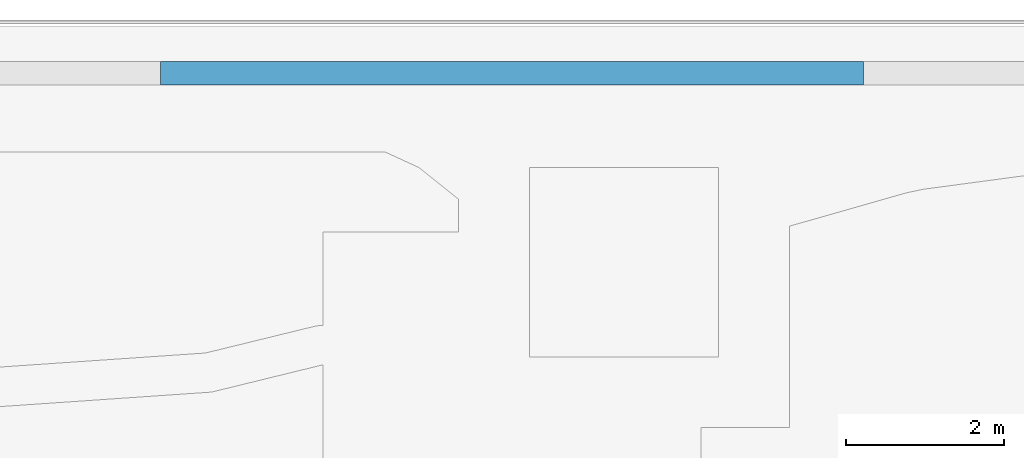
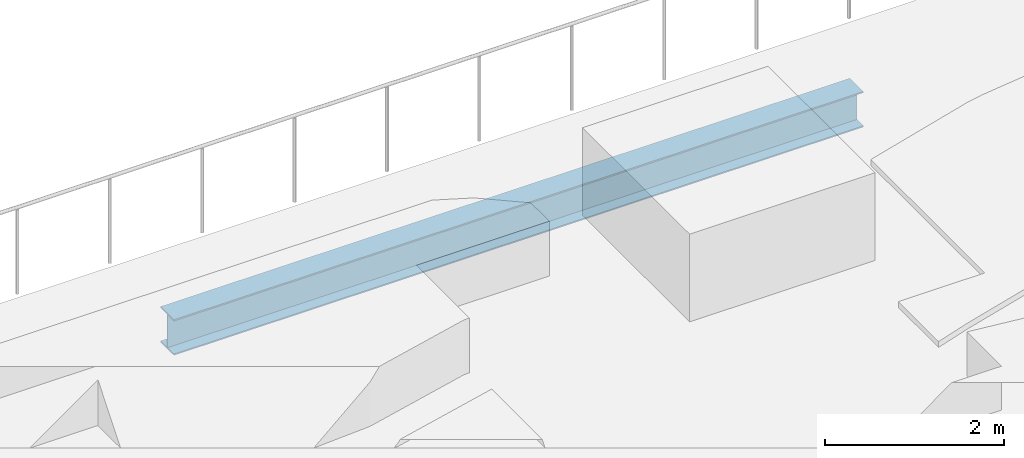
# One storey, part 13 of 40: 1 beam.
"""IFC4 building model written with IfcOpenShell, lengths in metres."""

from ifc_helpers import new_model, si_unit, direction, frame, origin, origin_2d, place, context, subcontext, project, spatial, i_section, extrude, material, material_profile, profile_set, type_object, element, save


model = new_model("IFC4")

# Units and contexts
model_context = context("Model", 3, precision=1e-05, world=origin(), true_north=direction((0.0, 1.0)))
body_context = subcontext(model_context, "Body", "Model", "MODEL_VIEW")
ifc_project = project(units=[si_unit("LENGTHUNIT", "METRE"), si_unit("AREAUNIT", "SQUARE_METRE"), si_unit("VOLUMEUNIT", "CUBIC_METRE"), si_unit("PLANEANGLEUNIT", "RADIAN"), si_unit("MASSUNIT", "GRAM", prefix="KILO")], contexts=[model_context])

# Site, building, storey
site_placement = place(None, origin())
site = spatial("IfcSite", under=ifc_project, at=site_placement, CompositionType="ELEMENT")
building_placement = place(site_placement, origin())
building = spatial("IfcBuilding", under=site, at=building_placement, Name="Ipe Terrace Towers", CompositionType="ELEMENT")
storey_placement = place(building_placement, frame((0.0, 0.0, 24.5)))
storey = spatial("IfcBuildingStorey", under=building, at=storey_placement, Name="L05", CompositionType="ELEMENT", Elevation=24.5)

# Beam
ifc_material = material(Name="Steel S355", Category="steel")
ifc_material_profile = material_profile(ifc_material, i_section(OverallWidth=0.300048828125, OverallDepth=0.488037109375, WebThickness=0.010986328125, FlangeThickness=0.01806640625, at=origin_2d()), Name="H-488x300x11x18")
ifc_profile_set = profile_set([ifc_material_profile], Name="Steel S355")
beam_type = type_object("IfcBeamType", Name="H09 EDGE BEAM H-488x300x11x18", PredefinedType="BEAM", material=ifc_profile_set)
beam_placement = place(storey_placement, frame((-15.6298828125, 33.14990234375, -0.6689453125), z_axis=(1.0, 0.0, 0.0), x_axis=(0.0, 1.0, 0.0)))
element("IfcBeam", 1, at=beam_placement, inside=storey, type_object=beam_type, Name="Edge beam PD-EB-K07-K08", PredefinedType="BEAM", context=body_context, shape_type="SweptSolid", body=[
    extrude(i_section(OverallWidth=0.300048828125, OverallDepth=0.488037109375, WebThickness=0.010986328125, FlangeThickness=0.01806640625, at=origin_2d()), origin(), (0.0, 0.0, 1.0), 8.919921875),
])

save(model, "model.ifc")
